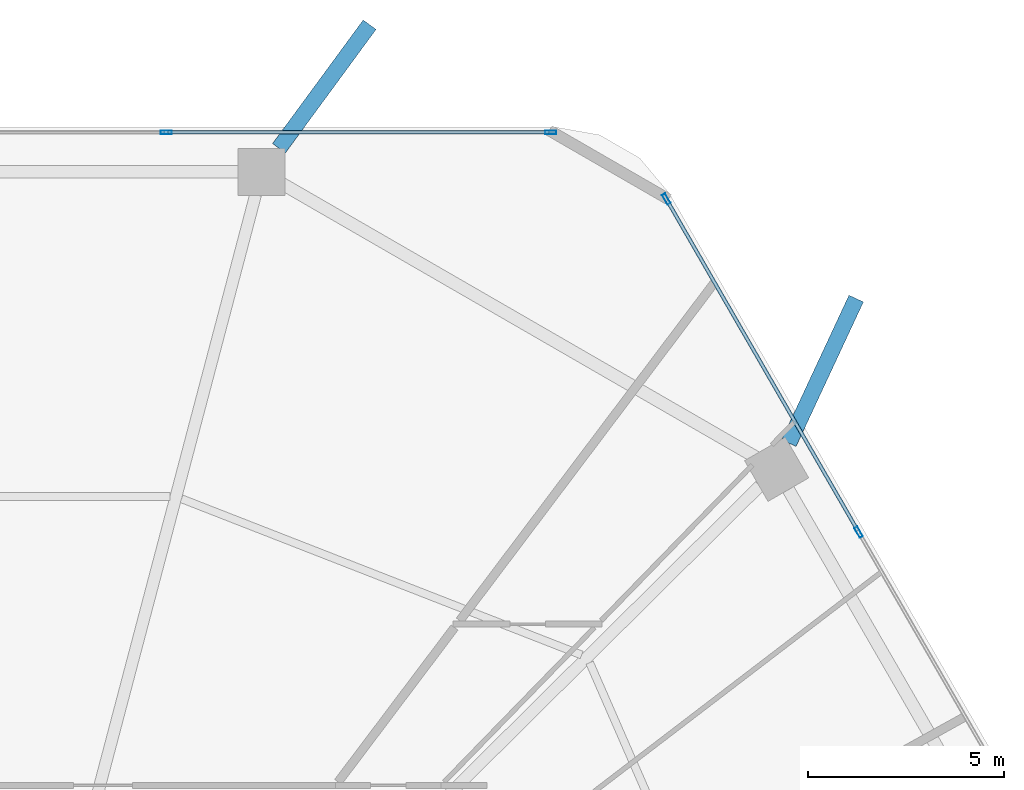
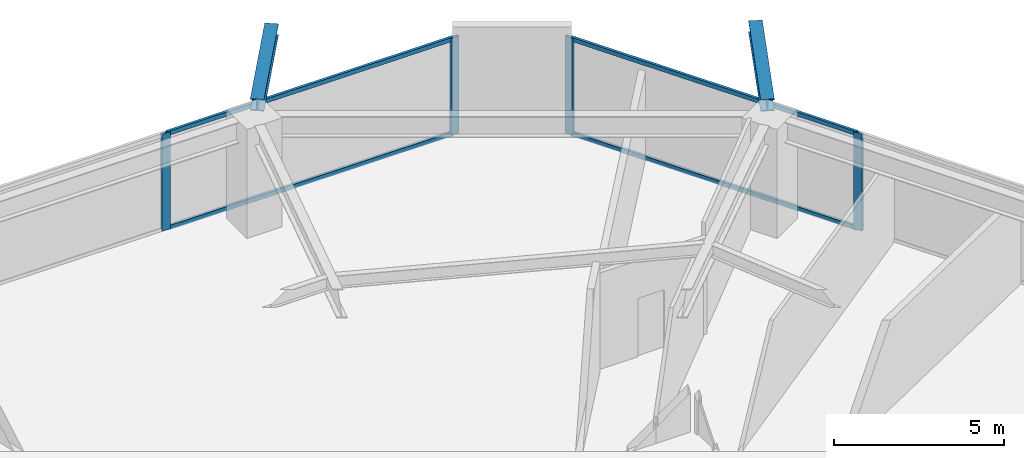
# One storey, part 19 of 25: 8 members, 2 beams, 2 elements without a shape of their own.
"""IFC4 building model written with IfcOpenShell, lengths in metres."""

import ifcopenshell
import ifcopenshell.guid

model = None  # the IFC model being written
_history = None  # IfcOwnerHistory: only IFC2X3 demands one
_inside = {}  # id of a spatial element -> (the spatial element, [elements in it])
_under = {}  # id of a project, library or spatial element -> (it, [spatial elements below it])
_declared = {}  # id of a project -> (the project, [libraries it declares])
_typed = {}  # id of a type object -> (the type object, [elements of that type])
_made_of = {}  # id of a material, layer set ... -> (it, [elements and type objects made of it])


def new_model(schema):
    """Start an empty IFC model of exactly this schema.

    Asked for "IFC4X3", IfcOpenShell would pick the latest addendum, in which some entities
    have other attributes; the version numbers below select the first issue.
    IFC2X3 requires an IfcOwnerHistory on every rooted entity: one is made here for all.
    """
    global model, _history
    if schema == "IFC4X3":
        model = ifcopenshell.file(schema_version=(4, 3, 0, 0))
    else:
        model = ifcopenshell.file(schema=schema)
    _inside.clear()
    _under.clear()
    _declared.clear()
    _typed.clear()
    _made_of.clear()
    _history = None
    if model.schema == "IFC2X3":
        org = make("IfcOrganization", Name="unknown")
        user = make(
            "IfcPersonAndOrganization",
            ThePerson=make("IfcPerson", FamilyName="unknown"),
            TheOrganization=org,
        )
        app = make(
            "IfcApplication",
            ApplicationDeveloper=org,
            Version="unknown",
            ApplicationFullName="unknown",
            ApplicationIdentifier="unknown",
        )
        _history = make(
            "IfcOwnerHistory",
            OwningUser=user,
            OwningApplication=app,
            ChangeAction="ADDED",
            CreationDate=0,
        )
    return model


def make(cls, **values):
    """One entity of the class cls with the attributes given. An attribute that is None is left unset."""
    return model.create_entity(
        cls, **{name: value for name, value in values.items() if value is not None}
    )


def rooted(cls, **values):
    """An entity with a GlobalId (a new one), such as an element, a storey or a relation."""
    return make(cls, GlobalId=ifcopenshell.guid.new(), OwnerHistory=_history, **values)


def si_unit(unit_type, name, prefix=None):
    """IfcSIUnit, for example si_unit("LENGTHUNIT", "METRE", prefix="MILLI")."""
    return make("IfcSIUnit", UnitType=unit_type, Prefix=prefix, Name=name)


def assignment(units):
    """IfcUnitAssignment: the units of a project."""
    return None if units is None else make("IfcUnitAssignment", Units=units)


def point(xyz):
    """IfcCartesianPoint."""
    return None if xyz is None else make("IfcCartesianPoint", Coordinates=xyz)


def direction(xyz):
    """IfcDirection."""
    return None if xyz is None else make("IfcDirection", DirectionRatios=xyz)


def frame(location, z_axis=None, x_axis=None):
    """IfcAxis2Placement3D, a coordinate frame: its origin and axes. An axis left out is left unset."""
    return make(
        "IfcAxis2Placement3D",
        Location=point(location),
        Axis=direction(z_axis),
        RefDirection=direction(x_axis),
    )


def frame_2d(location, x_axis=None):
    """IfcAxis2Placement2D, a coordinate frame in the plane: its origin and x axis."""
    return make(
        "IfcAxis2Placement2D", Location=point(location), RefDirection=direction(x_axis)
    )


def origin():
    """The frame at (0, 0, 0) with its axes left unset."""
    return frame((0.0, 0.0, 0.0))


def origin_2d():
    """The frame at (0, 0) in the plane with its x axis left unset."""
    return frame_2d((0.0, 0.0))


def place(relative_to, where):
    """IfcLocalPlacement: puts the frame where relative to a parent placement (None: the world)."""
    return make(
        "IfcLocalPlacement", PlacementRelTo=relative_to, RelativePlacement=where
    )


def context(
    kind, dimensions, precision=None, world=None, true_north=None, identifier=None
):
    """IfcGeometricRepresentationContext, for example the 3D "Model" context."""
    return make(
        "IfcGeometricRepresentationContext",
        ContextIdentifier=identifier,
        ContextType=kind,
        CoordinateSpaceDimension=dimensions,
        Precision=precision,
        WorldCoordinateSystem=world,
        TrueNorth=true_north,
    )


def subcontext(parent, identifier, kind, view, scale=None):
    """IfcGeometricRepresentationSubContext, for example "Body" below "Model"."""
    return make(
        "IfcGeometricRepresentationSubContext",
        ContextIdentifier=identifier,
        ContextType=kind,
        ParentContext=parent,
        TargetScale=scale,
        TargetView=view,
    )


def project(units=None, contexts=None):
    """IfcProject with its units and contexts."""
    return rooted(
        "IfcProject",
        Name="project",
        RepresentationContexts=contexts,
        UnitsInContext=assignment(units),
    )


def spatial(cls, under=None, at=None, **own):
    """A site, building, storey or space (cls), placed at a placement, below another one or the project."""
    s = rooted(cls, ObjectPlacement=at, **own)
    if under is not None:
        _under.setdefault(under.id(), (under, []))[1].append(s)
    return s


def profile(cls, at=None, kind="AREA", **sizes):
    """A parametric profile (cls). Its sizes go by their IFC names, for example OverallWidth=200.0."""
    return make(cls, ProfileType=kind, Position=at, **sizes)


def hollow_rectangle(**sizes):
    """IfcRectangleHollowProfileDef."""
    return profile("IfcRectangleHollowProfileDef", **sizes)


def i_section(**sizes):
    """IfcIShapeProfileDef."""
    return profile("IfcIShapeProfileDef", **sizes)


def extrude(swept, where, along, depth):
    """IfcExtrudedAreaSolid: the profile swept, set in the frame where, extruded along a direction by depth."""
    return make(
        "IfcExtrudedAreaSolid",
        SweptArea=swept,
        Position=where,
        ExtrudedDirection=direction(along),
        Depth=depth,
    )


def shape(context_of_items, identifier, shape_type, items):
    """IfcShapeRepresentation: the items that make up one representation, for example the "Body"."""
    return make(
        "IfcShapeRepresentation",
        ContextOfItems=context_of_items,
        RepresentationIdentifier=identifier,
        RepresentationType=shape_type,
        Items=items,
    )


def material(Name=None, Category=None):
    """IfcMaterial."""
    return make("IfcMaterial", Name=Name, Category=Category)


def material_profile(
    of_material, cross_section, Name=None, Category=None, Priority=None
):
    """IfcMaterialProfile: a cross section and its material."""
    return make(
        "IfcMaterialProfile",
        Name=Name,
        Material=of_material,
        Profile=cross_section,
        Priority=Priority,
        Category=Category,
    )


def profile_set(profiles, Name=None, composite=None):
    """IfcMaterialProfileSet."""
    return make(
        "IfcMaterialProfileSet",
        Name=Name,
        MaterialProfiles=profiles,
        CompositeProfile=composite,
    )


def made_of(thing, what):
    """Note that an element or type object is made of a material, layer set ...; save() writes the relation."""
    if what is not None:
        _made_of.setdefault(what.id(), (what, []))[1].append(thing)
    return thing


def type_object(cls, material=None, **own):
    """A type object (cls), such as IfcWallType, which elements share."""
    return made_of(rooted(cls, **own), material)


def element(
    cls,
    number,
    at=None,
    inside=None,
    cuts=None,
    type_object=None,
    material=None,
    context=None,
    identifier="Body",
    shape_type=None,
    held_by="IfcProductDefinitionShape",
    body=None,
    shapes=None,
    **own,
):
    """One element of the class cls, such as IfcWall. Its Tag is "e" and its number.

    at: its placement. inside: the storey or other place that contains it. cuts: it is an
    opening in that element (IfcRelVoidsElement). A single representation is given by context,
    identifier, shape_type and body (its items); several are given by shapes. held_by: the class
    of the entity that holds the representations. save() writes the other relations.
    """
    e = rooted(cls, Tag="e%d" % number, ObjectPlacement=at, **own)
    if body is not None:
        shapes = [shape(context, identifier, shape_type, body)]
    if shapes is not None:
        e.Representation = make(held_by, Representations=shapes)
    if inside is not None:
        _inside.setdefault(inside.id(), (inside, []))[1].append(e)
    if cuts is not None:
        rooted(
            "IfcRelVoidsElement", RelatingBuildingElement=cuts, RelatedOpeningElement=e
        )
    if type_object is not None:
        _typed.setdefault(type_object.id(), (type_object, []))[1].append(e)
    return made_of(e, material)


def aggregate(whole, parts):
    """IfcRelAggregates: a whole, such as a stair, and the parts it consists of."""
    return rooted("IfcRelAggregates", RelatingObject=whole, RelatedObjects=parts)


def save(model, path):
    """Write the relations noted so far, then the file.

    IfcRelAggregates (storeys below a building ...), IfcRelContainedInSpatialStructure (elements
    in a storey), IfcRelDefinesByType, IfcRelAssociatesMaterial and IfcRelDeclares: one each for
    every whole, place, type object, material and project.
    """
    for whole, parts in _under.values():
        aggregate(whole, parts)
    for where, things in _inside.values():
        rooted(
            "IfcRelContainedInSpatialStructure",
            RelatedElements=things,
            RelatingStructure=where,
        )
    for kind, things in _typed.values():
        rooted("IfcRelDefinesByType", RelatedObjects=things, RelatingType=kind)
    for what, things in _made_of.values():
        rooted("IfcRelAssociatesMaterial", RelatedObjects=things, RelatingMaterial=what)
    for by, libraries in _declared.values():
        rooted("IfcRelDeclares", RelatingContext=by, RelatedDefinitions=libraries)
    model.write(path)


model = new_model("IFC4")

# Units and contexts
model_context = context("Model", 3, precision=1e-05, world=origin(), true_north=direction((0.0, 1.0)))
body_context = subcontext(model_context, "Body", "Model", "MODEL_VIEW")
ifc_project = project(units=[si_unit("LENGTHUNIT", "METRE"), si_unit("AREAUNIT", "SQUARE_METRE"), si_unit("VOLUMEUNIT", "CUBIC_METRE"), si_unit("PLANEANGLEUNIT", "RADIAN"), si_unit("MASSUNIT", "GRAM", prefix="KILO")], contexts=[model_context])

# Site, building, storey
site_placement = place(None, origin())
site = spatial("IfcSite", under=ifc_project, at=site_placement, CompositionType="ELEMENT")
building_placement = place(site_placement, origin())
building = spatial("IfcBuilding", under=site, at=building_placement, Name="Zuhravey Tower", CompositionType="ELEMENT")
storey_placement = place(building_placement, frame((0.0, 0.0, 54.0)))
storey = spatial("IfcBuildingStorey", under=building, at=storey_placement, Name="L13", CompositionType="ELEMENT", Elevation=54.0)

# Curtain wall, members
ifc_material_1 = material(Name="Thermally broken anodised aluminium", Category="aluminium")
curtain_wall_type = type_object("IfcCurtainWallType", Name="School Low-E Unitised Curtain Wall CW1", PredefinedType="NOTDEFINED", material=ifc_material_1)
curtain_wall_1_placement = place(storey_placement, origin())
curtain_wall_1 = element("IfcCurtainWall", 1, at=curtain_wall_1_placement, inside=storey, type_object=curtain_wall_type, Name="L13 CW1 CW-L13-F2-1", PredefinedType="NOTDEFINED")
ifc_material_2 = material(Name="Anodised aluminium", Category="aluminium")
ifc_material_profile_1 = material_profile(ifc_material_2, hollow_rectangle(XDim=0.090087890625, YDim=0.284912109375, WallThickness=0.0048828125, at=origin_2d()), Name="ALU-RHS-90x285x5")
ifc_profile_set_1 = profile_set([ifc_material_profile_1], Name="Anodised aluminium")
member_type_1 = type_object("IfcMemberType", Name="Curtain-Wall Mullion 90x180", PredefinedType="MULLION", material=ifc_profile_set_1)
member_1_placement = place(storey_placement, frame((40.93310546875, 60.95849609375, 0.0), z_axis=(0.0, 0.0, 1.0), x_axis=(0.0, 1.0, 0.0)))
member_1 = element("IfcMember", 2, at=member_1_placement, type_object=member_type_1, Name="CW1 mullion 3", PredefinedType="MULLION", context=body_context, shape_type="SweptSolid", body=[
    extrude(hollow_rectangle(XDim=0.090087890625, YDim=0.284912109375, WallThickness=0.0048828125, at=origin_2d()), origin(), (0.0, 0.0, 1.0), 3.491943359375),
])
member_2_placement = place(storey_placement, frame((50.75439453125, 60.95849609375, 0.0), z_axis=(0.0, 0.0, 1.0), x_axis=(0.0, 1.0, 0.0)))
member_2 = element("IfcMember", 3, at=member_2_placement, type_object=member_type_1, Name="CW1 mullion 4", PredefinedType="MULLION", context=body_context, shape_type="SweptSolid", body=[
    extrude(hollow_rectangle(XDim=0.090087890625, YDim=0.284912109375, WallThickness=0.0048828125, at=origin_2d()), origin(), (0.0, 0.0, 1.0), 3.491943359375),
])

curtain_wall_2_placement = place(storey_placement, origin())
curtain_wall_2 = element("IfcCurtainWall", 4, at=curtain_wall_2_placement, inside=storey, type_object=curtain_wall_type, Name="L13 CW1 CW-L13-F1-1", PredefinedType="NOTDEFINED")
member_3_placement = place(storey_placement, frame((53.701416015625, 59.257080078125, 0.0), z_axis=(0.0, 0.0, 1.0), x_axis=(0.86602552265, 0.499999794119, 0.0)))
member_3 = element("IfcMember", 5, at=member_3_placement, type_object=member_type_1, Name="CW1 mullion 1", PredefinedType="MULLION", context=body_context, shape_type="SweptSolid", body=[
    extrude(hollow_rectangle(XDim=0.090087890625, YDim=0.284912109375, WallThickness=0.0048828125, at=origin_2d()), origin(), (0.0, 0.0, 1.0), 3.491943359375),
])
member_4_placement = place(storey_placement, frame((58.612060546875, 50.75146484375, 0.0), z_axis=(0.0, 0.0, 1.0), x_axis=(0.86602552265, 0.499999794119, 0.0)))
member_4 = element("IfcMember", 6, at=member_4_placement, type_object=member_type_1, Name="CW1 mullion 2", PredefinedType="MULLION", context=body_context, shape_type="SweptSolid", body=[
    extrude(hollow_rectangle(XDim=0.090087890625, YDim=0.284912109375, WallThickness=0.0048828125, at=origin_2d()), origin(), (0.0, 0.0, 1.0), 3.491943359375),
])

# Member
ifc_material_profile_2 = material_profile(ifc_material_2, hollow_rectangle(XDim=0.090087890625, YDim=0.14990234375, WallThickness=0.0048828125, at=origin_2d()), Name="ALU-RHS-90x150x5")
ifc_profile_set_2 = profile_set([ifc_material_profile_2], Name="Anodised aluminium")
member_type_2 = type_object("IfcMemberType", Name="Curtain-Wall Transom 90x150", PredefinedType="USERDEFINED", material=ifc_profile_set_2)
member_5_placement = place(storey_placement, frame((40.978271484375, 60.95849609375, 0.044921875), z_axis=(1.0, 0.0, 0.0), x_axis=(0.0, 1.0, 0.0)))
member_5 = element("IfcMember", 7, at=member_5_placement, type_object=member_type_2, Name="CW1 transom 3.1", ObjectType="TRANSOM", PredefinedType="USERDEFINED", context=body_context, shape_type="SweptSolid", body=[
    extrude(hollow_rectangle(XDim=0.090087890625, YDim=0.14990234375, WallThickness=0.0048828125, at=origin_2d()), origin(), (0.0, 0.0, 1.0), 9.731201171875),
])

member_6_placement = place(storey_placement, frame((40.978271484375, 60.95849609375, 3.447021484375), z_axis=(1.0, 0.0, 0.0), x_axis=(0.0, 1.0, 0.0)))
member_6 = element("IfcMember", 8, at=member_6_placement, type_object=member_type_2, Name="CW1 transom 3.2", ObjectType="TRANSOM", PredefinedType="USERDEFINED", context=body_context, shape_type="SweptSolid", body=[
    extrude(hollow_rectangle(XDim=0.090087890625, YDim=0.14990234375, WallThickness=0.0048828125, at=origin_2d()), origin(), (0.0, 0.0, 1.0), 9.731201171875),
])

aggregate(curtain_wall_1, [member_1, member_2, member_5, member_6])

member_7_placement = place(storey_placement, frame((53.72412109375, 59.218017578125, 0.044921875), z_axis=(0.499989576763, -0.86603142156, 0.0), x_axis=(0.86603142156, 0.499989576763, 0.0)))
member_7 = element("IfcMember", 9, at=member_7_placement, type_object=member_type_2, Name="CW1 transom 1.1", ObjectType="TRANSOM", PredefinedType="USERDEFINED", context=body_context, shape_type="SweptSolid", body=[
    extrude(hollow_rectangle(XDim=0.090087890625, YDim=0.14990234375, WallThickness=0.0048828125, at=origin_2d()), origin(), (0.0, 0.0, 1.0), 9.731201171875),
])

member_8_placement = place(storey_placement, frame((53.72412109375, 59.218017578125, 3.447021484375), z_axis=(0.499989576763, -0.86603142156, 0.0), x_axis=(0.86603142156, 0.499989576763, 0.0)))
member_8 = element("IfcMember", 10, at=member_8_placement, type_object=member_type_2, Name="CW1 transom 1.2", ObjectType="TRANSOM", PredefinedType="USERDEFINED", context=body_context, shape_type="SweptSolid", body=[
    extrude(hollow_rectangle(XDim=0.090087890625, YDim=0.14990234375, WallThickness=0.0048828125, at=origin_2d()), origin(), (0.0, 0.0, 1.0), 9.731201171875),
])

aggregate(curtain_wall_2, [member_3, member_4, member_7, member_8])

# Beams
ifc_material_3 = material(Name="Steel SM460", Category="steel")
ifc_material_profile_3 = material_profile(ifc_material_3, i_section(OverallWidth=0.406982421875, OverallDepth=0.427978515625, WebThickness=0.02001953125, FlangeThickness=0.034912109375, at=origin_2d()), Name="H-428x407x20x35")
ifc_profile_set_3 = profile_set([ifc_material_profile_3], Name="Steel SM460")
beam_type = type_object("IfcBeamType", Name="Exoskeleton Node Tie Beam H428x407", PredefinedType="BEAM", material=ifc_profile_set_3)
beam_1_placement = place(storey_placement, frame((56.830078125, 53.0244140625, 3.7060546875), z_axis=(0.422481617475, 0.906371492764, 0.0), x_axis=(-0.906371492764, 0.422481617475, 0.0)))
element("IfcBeam", 11, at=beam_1_placement, inside=storey, type_object=beam_type, Name="L13 Exoskeleton Node Tie NT1-02", PredefinedType="BEAM", context=body_context, shape_type="SweptSolid", body=[
    extrude(i_section(OverallWidth=0.406982421875, OverallDepth=0.427978515625, WebThickness=0.02001953125, FlangeThickness=0.034912109375, at=origin_2d()), origin(), (0.0, 0.0, 1.0), 4.071044921875),
])
beam_2_placement = place(storey_placement, frame((43.812744140625, 60.5517578125, 3.7060546875), z_axis=(0.591671978423, 0.806178807678, 0.0), x_axis=(-0.806178807678, 0.591671978423, 0.0)))
element("IfcBeam", 12, at=beam_2_placement, inside=storey, type_object=beam_type, Name="L13 Exoskeleton Node Tie NT1-03", PredefinedType="BEAM", context=body_context, shape_type="SweptSolid", body=[
    extrude(i_section(OverallWidth=0.406982421875, OverallDepth=0.427978515625, WebThickness=0.02001953125, FlangeThickness=0.034912109375, at=origin_2d()), origin(), (0.0, 0.0, 1.0), 3.912841796875),
])

save(model, "model.ifc")
